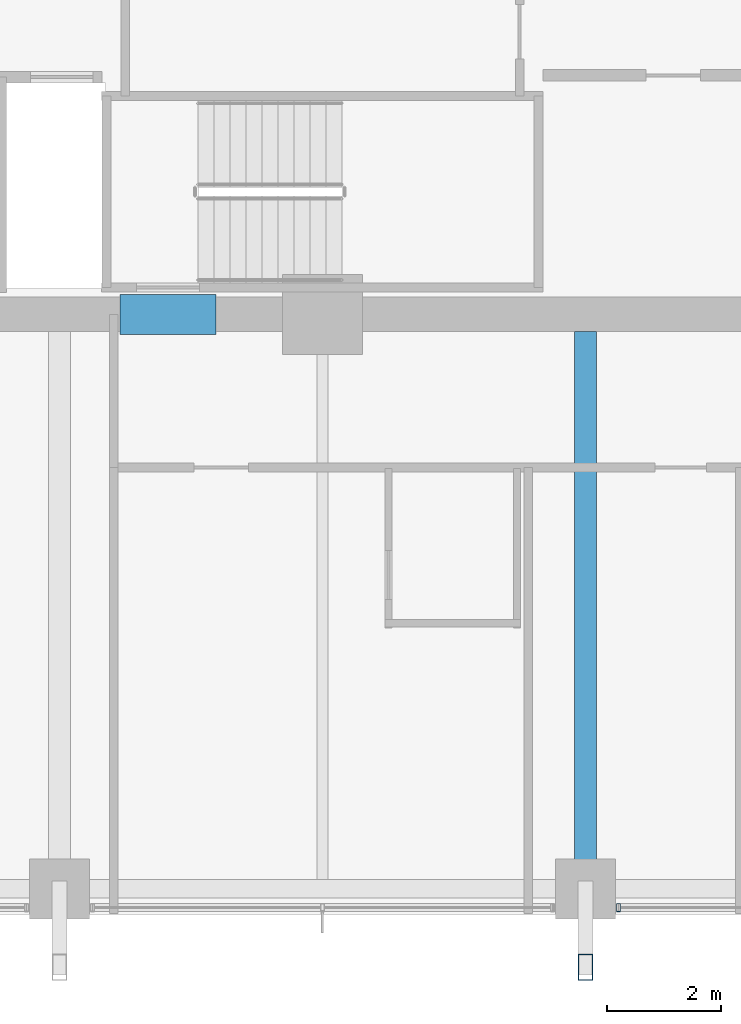
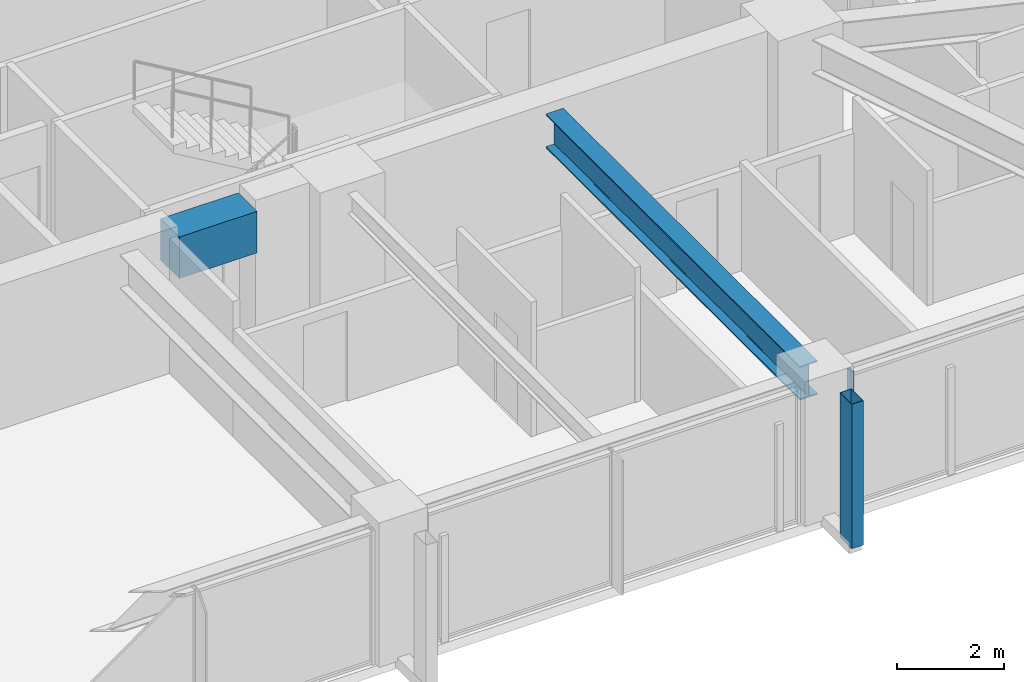
# One storey, part 6 of 37: 2 beams, 2 members, 1 element without a shape of its own.
"""IFC4 building model written with IfcOpenShell, lengths in metres."""

from ifc_helpers import new_model, si_unit, direction, frame, origin, origin_2d, place, context, subcontext, project, spatial, rectangle, hollow_rectangle, i_section, extrude, material, material_profile, profile_set, type_object, element, aggregate, save


model = new_model("IFC4")

# Units and contexts
model_context = context("Model", 3, precision=1e-05, world=origin(), true_north=direction((0.0, 1.0)))
body_context = subcontext(model_context, "Body", "Model", "MODEL_VIEW")
ifc_project = project(units=[si_unit("LENGTHUNIT", "METRE"), si_unit("AREAUNIT", "SQUARE_METRE"), si_unit("VOLUMEUNIT", "CUBIC_METRE"), si_unit("PLANEANGLEUNIT", "RADIAN"), si_unit("MASSUNIT", "GRAM", prefix="KILO")], contexts=[model_context])

# Site, building, storey
site_placement = place(None, origin())
site = spatial("IfcSite", under=ifc_project, at=site_placement, CompositionType="ELEMENT")
building_placement = place(site_placement, origin())
building = spatial("IfcBuilding", under=site, at=building_placement, Name="Kolvaren Belvedere", CompositionType="ELEMENT")
storey_placement = place(building_placement, frame((0.0, 0.0, 75.5)))
storey = spatial("IfcBuildingStorey", under=building, at=storey_placement, Name="L21", CompositionType="ELEMENT", Elevation=75.5)

# Beams
ifc_material_1 = material(Name="Structural steel ASTM A992 Grade 50", Category="steel")
ifc_material_profile_1 = material_profile(ifc_material_1, i_section(OverallWidth=0.381103515625, OverallDepth=0.77294921875, WebThickness=0.0166015625, FlangeThickness=0.027099609375, FilletRadius=0.02392578125, at=origin_2d()), Name="W30X173")
ifc_profile_set_1 = profile_set([ifc_material_profile_1], Name="Structural steel ASTM A992 Grade 50")
beam_type_1 = type_object("IfcBeamType", Name="BM-GIRD-W30X173", PredefinedType="BEAM", material=ifc_profile_set_1)
beam_1_placement = place(storey_placement, frame((4.60009765625, -10.199951171875, 2.693603515625), z_axis=(0.0, -1.0, 0.0), x_axis=(1.0, 0.0, 0.0)))
element("IfcBeam", 1, at=beam_1_placement, inside=storey, type_object=beam_type_1, Name="L21 South Radial Girder P", PredefinedType="BEAM", context=body_context, shape_type="SweptSolid", body=[
    extrude(i_section(OverallWidth=0.381103515625, OverallDepth=0.77294921875, WebThickness=0.0166015625, FlangeThickness=0.027099609375, FilletRadius=0.02392578125, at=origin_2d()), origin(), (0.0, 0.0, 1.0), 9.513916015625),
])
ifc_material_2 = material(Name="Concrete C60/75", Category="concrete")
ifc_material_profile_2 = material_profile(ifc_material_2, rectangle(XDim=0.699951171875, YDim=0.949951171875, at=origin_2d()), Name="RC 700X950")
ifc_profile_set_2 = profile_set([ifc_material_profile_2], Name="Concrete C60/75")
beam_type_2 = type_object("IfcBeamType", Name="BM-LINT-950", PredefinedType="LINTEL", material=ifc_profile_set_2)
beam_2_placement = place(storey_placement, frame((-3.5400390625, -9.89990234375, 2.60498046875), z_axis=(1.0, 0.0, 0.0), x_axis=(0.0, 1.0, 0.0)))
element("IfcBeam", 2, at=beam_2_placement, inside=storey, type_object=beam_type_2, Name="L21 South Core Coupling Lintel", PredefinedType="LINTEL", context=body_context, shape_type="SweptSolid", body=[
    extrude(rectangle(XDim=0.699951171875, YDim=0.949951171875, at=origin_2d()), origin(), (0.0, 0.0, 1.0), 1.679931640625),
])

# Curtain wall, member
ifc_material_3 = material(Name="Anodised pale-metal aluminium AA 6063-T6", Category="aluminium")
curtain_wall_type = type_object("IfcCurtainWallType", Name="CW-Z2-MID", PredefinedType="NOTDEFINED", material=ifc_material_3)
curtain_wall_placement = place(storey_placement, origin())
curtain_wall = element("IfcCurtainWall", 3, at=curtain_wall_placement, inside=storey, type_object=curtain_wall_type, Name="L21 Unitised Curtain Wall FCW-L21-S-B1", PredefinedType="NOTDEFINED")
ifc_material_4 = material(Name="Anodised pale-metal aluminium AA 6063-T6", Category="aluminium")
ifc_material_profile_3 = material_profile(ifc_material_4, hollow_rectangle(XDim=0.06494140625, YDim=0.139892578125, WallThickness=0.00390625, at=origin_2d()), Name="ALU-MUL-140X65")
ifc_profile_set_3 = profile_set([ifc_material_profile_3], Name="Anodised pale-metal aluminium AA 6063-T6")
member_type_1 = type_object("IfcMemberType", Name="CW-MUL-140", PredefinedType="MULLION", material=ifc_profile_set_3)
member_1_placement = place(storey_placement, frame((5.177490234375, -20.280029296875, 0.0), z_axis=(0.0, 0.0, 1.0), x_axis=(1.0, 0.0, 0.0)))
member_1 = element("IfcMember", 4, at=member_1_placement, type_object=member_type_1, Name="FCW-L21-S-B1 Unitised Mullion 3", PredefinedType="MULLION", context=body_context, shape_type="SweptSolid", body=[
    extrude(hollow_rectangle(XDim=0.06494140625, YDim=0.139892578125, WallThickness=0.00390625, at=origin_2d()), origin(), (0.0, 0.0, 1.0), 3.080078125),
])
aggregate(curtain_wall, [member_1])

# Member
ifc_material_5 = material(Name="Anodised pale-metal aluminium AA 6063-T6", Category="aluminium")
ifc_material_profile_4 = material_profile(ifc_material_5, hollow_rectangle(XDim=0.25, YDim=0.449951171875, WallThickness=0.008544921875, at=origin_2d()), Name="ALU-PF-450X250")
ifc_profile_set_4 = profile_set([ifc_material_profile_4], Name="Anodised pale-metal aluminium AA 6063-T6")
member_type_2 = type_object("IfcMemberType", Name="PF-FRAME-450", PredefinedType="USERDEFINED", material=ifc_profile_set_4)
member_2_placement = place(storey_placement, frame((4.60009765625, -21.320068359375, 0.0), z_axis=(0.0, 0.0, 1.0), x_axis=(1.0, 0.0, 0.0)))
element("IfcMember", 5, at=member_2_placement, inside=storey, type_object=member_type_2, Name="L21 Outboard Picture-Frame Vertical S1", ObjectType="PICTURE FRAME FIN", PredefinedType="USERDEFINED", context=body_context, shape_type="SweptSolid", body=[
    extrude(hollow_rectangle(XDim=0.25, YDim=0.449951171875, WallThickness=0.008544921875, at=origin_2d()), origin(), (0.0, 0.0, 1.0), 3.300048828125),
])

save(model, "model.ifc")
